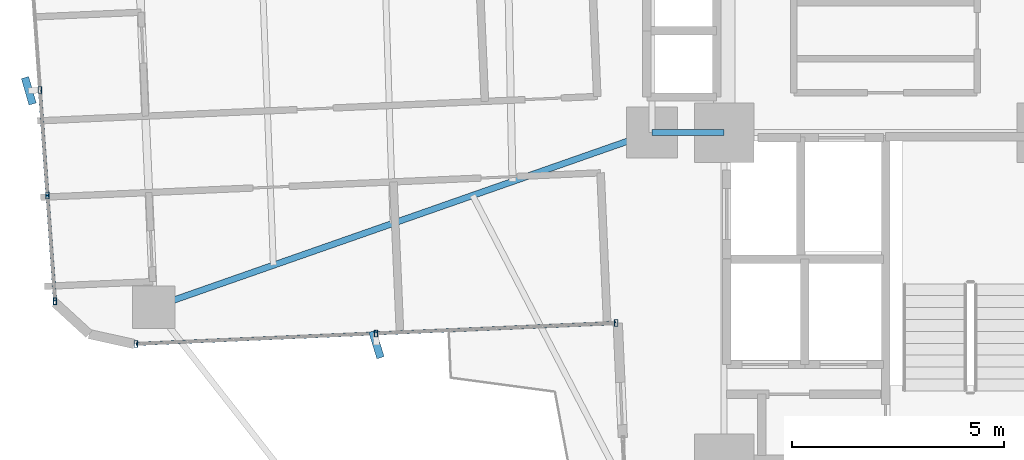
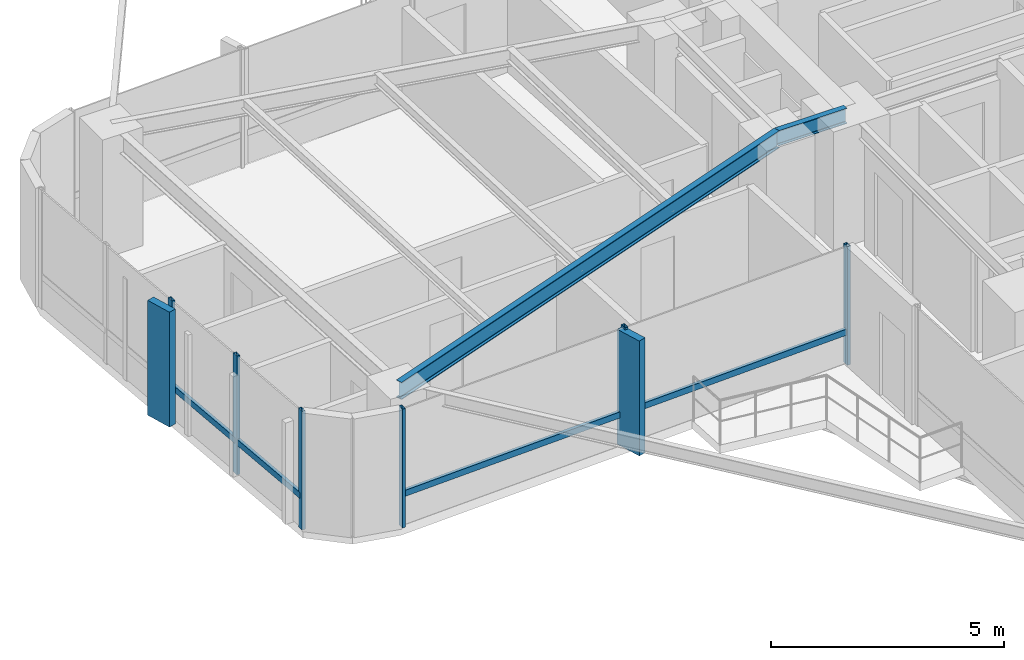
# One storey, part 8 of 26: 12 members, 2 beams, 2 elements without a shape of their own.
"""IFC4 building model written with IfcOpenShell, lengths in metres."""

from ifc_helpers import new_model, si_unit, direction, frame, origin, origin_2d, place, context, subcontext, project, spatial, rectangle, hollow_rectangle, i_section, extrude, source, transform, mapped, material, material_profile, profile_set, type_object, element, aggregate, save


model = new_model("IFC4")

# Units and contexts
model_context = context("Model", 3, precision=1e-05, world=origin(), true_north=direction((0.0, 1.0)))
body_context = subcontext(model_context, "Body", "Model", "MODEL_VIEW")
ifc_project = project(units=[si_unit("LENGTHUNIT", "METRE"), si_unit("AREAUNIT", "SQUARE_METRE"), si_unit("VOLUMEUNIT", "CUBIC_METRE"), si_unit("PLANEANGLEUNIT", "RADIAN"), si_unit("MASSUNIT", "GRAM", prefix="KILO")], contexts=[model_context])

# Site, building, storey
site_placement = place(None, origin())
site = spatial("IfcSite", under=ifc_project, at=site_placement, CompositionType="ELEMENT")
building_placement = place(site_placement, origin())
building = spatial("IfcBuilding", under=site, at=building_placement, Name="Sahyath Konkavel Grand Hotel", CompositionType="ELEMENT")
storey_placement = place(building_placement, frame((0.0, 0.0, 124.85009765625)))
storey = spatial("IfcBuildingStorey", under=building, at=storey_placement, Name="L34", CompositionType="ELEMENT", Elevation=124.85009765625)

# Beams
ifc_material_1 = material(Name="Steel E350", Category="steel")
ifc_material_profile_1 = material_profile(ifc_material_1, i_section(OverallWidth=0.139892578125, OverallDepth=0.39990234375, WebThickness=0.0087890625, FlangeThickness=0.01611328125, FilletRadius=0.013916015625, at=origin_2d()), Name="ISMB 400")
ifc_profile_set_1 = profile_set([ifc_material_profile_1], Name="Steel E350")
beam_type_1 = type_object("IfcBeamType", Name="BM-ISMB400", PredefinedType="BEAM", material=ifc_profile_set_1)
shared_shape_1 = source(origin(), body_context, "Body", "SweptSolid", [
    extrude(i_section(OverallWidth=0.139892578125, OverallDepth=0.39990234375, WebThickness=0.0087890625, FlangeThickness=0.01611328125, FilletRadius=0.013916015625, at=origin_2d()), origin(), (0.0, 0.0, 1.0), 1.699951171875),
])
beam_1_placement = place(storey_placement, frame((-5.5, -2.39990234375, 2.909912109375), z_axis=(1.0, 0.0, 0.0), x_axis=(0.0, 1.0, 0.0)))
element("IfcBeam", 1, at=beam_1_placement, inside=storey, type_object=beam_type_1, Name="str:bm:L34:HB-SW", PredefinedType="BEAM", context=body_context, shape_type="MappedRepresentation", body=[
    mapped(shared_shape_1, transform((0.0, 0.0, 0.0), scale=1.0)),
])
ifc_material_profile_2 = material_profile(ifc_material_1, i_section(OverallWidth=0.14990234375, OverallDepth=0.449951171875, WebThickness=0.009521484375, FlangeThickness=0.017333984375, FilletRadius=0.014892578125, at=origin_2d()), Name="ISMB 450")
ifc_profile_set_2 = profile_set([ifc_material_profile_2], Name="Steel E350")
beam_type_2 = type_object("IfcBeamType", Name="BM-ISMB450", PredefinedType="BEAM", material=ifc_profile_set_2)
shared_shape_2 = source(origin(), body_context, "Body", "SweptSolid", [
    extrude(i_section(OverallWidth=0.14990234375, OverallDepth=0.449951171875, WebThickness=0.009521484375, FlangeThickness=0.017333984375, FilletRadius=0.014892578125, at=origin_2d()), origin(), (0.0, 0.0, 1.0), 12.430908203125),
])
beam_2_placement = place(storey_placement, frame((-5.5, -2.39990234375, 2.885009765625), z_axis=(-0.943819157235, -0.330462400941, 0.0), x_axis=(0.330462400941, -0.943819157235, 0.0)))
element("IfcBeam", 2, at=beam_2_placement, inside=storey, type_object=beam_type_2, Name="L34 Cruciform Radial Girder WB", PredefinedType="BEAM", context=body_context, shape_type="MappedRepresentation", body=[
    mapped(shared_shape_2, transform((0.0, 0.0, 0.0), scale=1.0)),
])

# Curtain wall, members
ifc_material_2 = material(Name="Anodised Bronze Aluminium & Low-E Glazing", Category="aluminium")
curtain_wall_type = type_object("IfcCurtainWallType", Name="CW-ZONE2", PredefinedType="NOTDEFINED", material=ifc_material_2)
curtain_wall_1_placement = place(storey_placement, origin())
curtain_wall_1 = element("IfcCurtainWall", 3, at=curtain_wall_1_placement, inside=storey, type_object=curtain_wall_type, Name="L34 Unitised Curtain Wall F20", PredefinedType="NOTDEFINED")
ifc_material_3 = material(Name="Anodised Bronze Aluminium", Category="aluminium")
ifc_material_profile_3 = material_profile(ifc_material_3, hollow_rectangle(XDim=0.080078125, YDim=0.159912109375, WallThickness=0.006103515625, at=origin_2d()), Name="RHS 160x80x6")
ifc_profile_set_3 = profile_set([ifc_material_profile_3], Name="Anodised Bronze Aluminium")
member_type_1 = type_object("IfcMemberType", Name="CW-MUL-160", PredefinedType="MULLION", material=ifc_profile_set_3)
shared_shape_3 = source(origin(), body_context, "Body", "SweptSolid", [
    extrude(hollow_rectangle(XDim=0.080078125, YDim=0.159912109375, WallThickness=0.006103515625, at=origin_2d()), origin(), (0.0, 0.0, 1.0), 3.10986328125),
])
member_1_placement = place(storey_placement, frame((-19.91748046875, -1.39501953125, 0.0), z_axis=(0.0, 0.0, 1.0), x_axis=(1.0, 0.0, 0.0)))
member_1 = element("IfcMember", 4, at=member_1_placement, type_object=member_type_1, Name="L34 Curtain Wall Mullion F20-2", PredefinedType="MULLION", context=body_context, shape_type="MappedRepresentation", body=[
    mapped(shared_shape_3, transform((0.0, 0.0, 0.0), scale=1.0)),
])
member_2_placement = place(storey_placement, frame((-19.739013671875, -3.882080078125, 0.0), z_axis=(0.0, 0.0, 1.0), x_axis=(1.0, 0.0, 0.0)))
member_2 = element("IfcMember", 5, at=member_2_placement, type_object=member_type_1, Name="L34 Curtain Wall Mullion F20-3", PredefinedType="MULLION", context=body_context, shape_type="MappedRepresentation", body=[
    mapped(shared_shape_3, transform((0.0, 0.0, 0.0), scale=1.0)),
])
member_3_placement = place(storey_placement, frame((-19.560546875, -6.369384765625, 0.0), z_axis=(0.0, 0.0, 1.0), x_axis=(1.0, 0.0, 0.0)))
member_3 = element("IfcMember", 6, at=member_3_placement, type_object=member_type_1, Name="L34 Curtain Wall Mullion F20-4", PredefinedType="MULLION", context=body_context, shape_type="MappedRepresentation", body=[
    mapped(shared_shape_3, transform((0.0, 0.0, 0.0), scale=1.0)),
])

curtain_wall_2_placement = place(storey_placement, origin())
curtain_wall_2 = element("IfcCurtainWall", 7, at=curtain_wall_2_placement, inside=storey, type_object=curtain_wall_type, Name="L34 Unitised Curtain Wall F23", PredefinedType="NOTDEFINED")
member_4_placement = place(storey_placement, frame((-17.655029296875, -7.377197265625, 0.0), z_axis=(0.0, 0.0, 1.0), x_axis=(1.0, 0.0, 0.0)))
member_4 = element("IfcMember", 8, at=member_4_placement, type_object=member_type_1, Name="L34 Curtain Wall Mullion F23-0", PredefinedType="MULLION", context=body_context, shape_type="MappedRepresentation", body=[
    mapped(shared_shape_3, transform((0.0, 0.0, 0.0), scale=1.0)),
])
member_5_placement = place(storey_placement, frame((-12.00048828125, -7.13037109375, 0.0), z_axis=(0.0, 0.0, 1.0), x_axis=(1.0, 0.0, 0.0)))
member_5 = element("IfcMember", 9, at=member_5_placement, type_object=member_type_1, Name="L34 Curtain Wall Mullion F23-1", PredefinedType="MULLION", context=body_context, shape_type="MappedRepresentation", body=[
    mapped(shared_shape_3, transform((0.0, 0.0, 0.0), scale=1.0)),
])
member_6_placement = place(storey_placement, frame((-6.345703125, -6.88330078125, 0.0), z_axis=(0.0, 0.0, 1.0), x_axis=(1.0, 0.0, 0.0)))
member_6 = element("IfcMember", 10, at=member_6_placement, type_object=member_type_1, Name="L34 Curtain Wall Mullion F23-2", PredefinedType="MULLION", context=body_context, shape_type="MappedRepresentation", body=[
    mapped(shared_shape_3, transform((0.0, 0.0, 0.0), scale=1.0)),
])

# Member
ifc_material_4 = material(Name="Warm Buff Sandstone Cladding on Concrete C50/60", Category="masonry")
ifc_material_profile_4 = material_profile(ifc_material_4, rectangle(XDim=0.179931640625, YDim=0.64990234375, at=origin_2d()), Name="FIN 180x650")
ifc_profile_set_4 = profile_set([ifc_material_profile_4], Name="Warm Buff Sandstone Cladding on Concrete C50/60")
member_type_2 = type_object("IfcMemberType", Name="FIN-SANDSTONE-650", PredefinedType="MULLION", material=ifc_profile_set_4)
shared_shape_4 = source(origin(), body_context, "Body", "SweptSolid", [
    extrude(rectangle(XDim=0.179931640625, YDim=0.64990234375, at=origin_2d()), origin(), (0.0, 0.0, 1.0), 3.010009765625),
])
member_7_placement = place(storey_placement, frame((-20.1767578125, -1.413818359375, 0.0498046875), z_axis=(0.0, 0.0, 1.0), x_axis=(0.960488224179, 0.278320626641, 0.0)))
member_7 = element("IfcMember", 11, at=member_7_placement, type_object=member_type_2, Name="L34 Sandstone Vertical Solar Fin FIN F20-2", PredefinedType="MULLION", context=body_context, shape_type="MappedRepresentation", body=[
    mapped(shared_shape_4, transform((0.0, 0.0, 0.0), scale=1.0)),
])

member_8_placement = place(storey_placement, frame((-11.989013671875, -7.39013671875, 0.0498046875), z_axis=(0.0, 0.0, 1.0), x_axis=(0.956151539415, 0.292872384621, 0.0)))
member_8 = element("IfcMember", 12, at=member_8_placement, type_object=member_type_2, Name="L34 Sandstone Vertical Solar Fin FIN F23-1", PredefinedType="MULLION", context=body_context, shape_type="MappedRepresentation", body=[
    mapped(shared_shape_4, transform((0.0, 0.0, 0.0), scale=1.0)),
])

ifc_material_profile_5 = material_profile(ifc_material_3, hollow_rectangle(XDim=0.080078125, YDim=0.159912109375, WallThickness=0.006103515625, at=origin_2d()), Name="RHS 160x80x6")
ifc_profile_set_5 = profile_set([ifc_material_profile_5], Name="Anodised Bronze Aluminium")
member_type_3 = type_object("IfcMemberType", Name="CW-TRN-160", PredefinedType="USERDEFINED", material=ifc_profile_set_5)
shared_shape_5 = source(origin(), body_context, "Body", "SweptSolid", [
    extrude(hollow_rectangle(XDim=0.080078125, YDim=0.159912109375, WallThickness=0.006103515625, at=origin_2d()), origin(), (0.0, 0.0, 1.0), 2.493408203125),
])
member_9_placement = place(storey_placement, frame((-19.91748046875, -1.39501953125, 0.849853515625), z_axis=(0.071574084062, -0.997435286367, 0.0), x_axis=(0.997435286367, 0.071574084062, 0.0)))
member_9 = element("IfcMember", 13, at=member_9_placement, type_object=member_type_3, Name="L34 Curtain Wall Transom F20-2-spandrel", ObjectType="TRANSOM", PredefinedType="USERDEFINED", context=body_context, shape_type="MappedRepresentation", body=[
    mapped(shared_shape_5, transform((0.0, 0.0, 0.0), scale=1.0)),
])

shared_shape_6 = source(origin(), body_context, "Body", "SweptSolid", [
    extrude(hollow_rectangle(XDim=0.080078125, YDim=0.159912109375, WallThickness=0.006103515625, at=origin_2d()), origin(), (0.0, 0.0, 1.0), 2.49365234375),
])
member_10_placement = place(storey_placement, frame((-19.739013671875, -3.882080078125, 0.849853515625), z_axis=(0.071567094714, -0.997435787885, 0.0), x_axis=(0.997435787885, 0.071567094714, 0.0)))
member_10 = element("IfcMember", 14, at=member_10_placement, type_object=member_type_3, Name="L34 Curtain Wall Transom F20-3-spandrel", ObjectType="TRANSOM", PredefinedType="USERDEFINED", context=body_context, shape_type="MappedRepresentation", body=[
    mapped(shared_shape_6, transform((0.0, 0.0, 0.0), scale=1.0)),
])

aggregate(curtain_wall_1, [member_1, member_7, member_2, member_3, member_9, member_10])

shared_shape_7 = source(origin(), body_context, "Body", "SweptSolid", [
    extrude(hollow_rectangle(XDim=0.080078125, YDim=0.159912109375, WallThickness=0.006103515625, at=origin_2d()), origin(), (0.0, 0.0, 1.0), 5.659912109375),
])
member_11_placement = place(storey_placement, frame((-17.655029296875, -7.377197265625, 0.849853515625), z_axis=(0.999048655935, 0.043609437898, 0.0), x_axis=(-0.043609437898, 0.999048655935, 0.0)))
member_11 = element("IfcMember", 15, at=member_11_placement, type_object=member_type_3, Name="L34 Curtain Wall Transom F23-0-spandrel", ObjectType="TRANSOM", PredefinedType="USERDEFINED", context=body_context, shape_type="MappedRepresentation", body=[
    mapped(shared_shape_7, transform((0.0, 0.0, 0.0), scale=1.0)),
])

shared_shape_8 = source(origin(), body_context, "Body", "SweptSolid", [
    extrude(hollow_rectangle(XDim=0.080078125, YDim=0.159912109375, WallThickness=0.006103515625, at=origin_2d()), origin(), (0.0, 0.0, 1.0), 5.66015625),
])
member_12_placement = place(storey_placement, frame((-12.00048828125, -7.13037109375, 0.849853515625), z_axis=(0.9990468579, 0.043650609628, 0.0), x_axis=(-0.043650609628, 0.9990468579, 0.0)))
member_12 = element("IfcMember", 16, at=member_12_placement, type_object=member_type_3, Name="L34 Curtain Wall Transom F23-1-spandrel", ObjectType="TRANSOM", PredefinedType="USERDEFINED", context=body_context, shape_type="MappedRepresentation", body=[
    mapped(shared_shape_8, transform((0.0, 0.0, 0.0), scale=1.0)),
])

aggregate(curtain_wall_2, [member_4, member_5, member_8, member_6, member_11, member_12])

save(model, "model.ifc")
